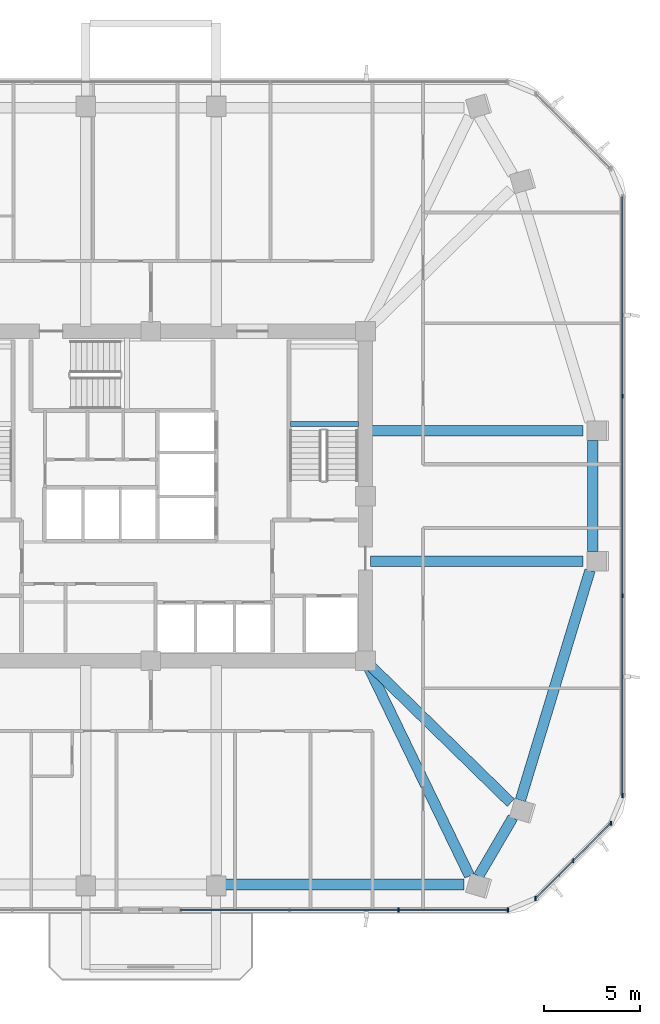
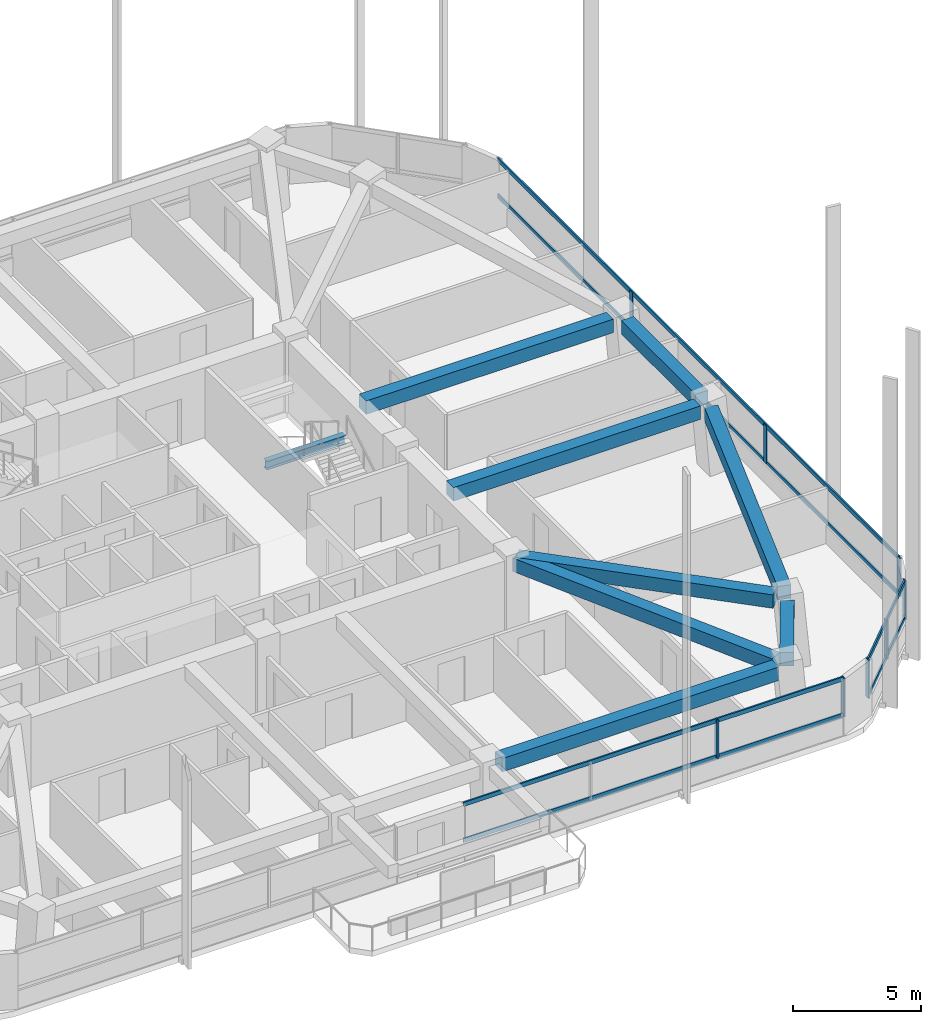
# One storey, part 3 of 15: 14 members, 9 beams, 3 elements without a shape of their own.
"""IFC4 building model written with IfcOpenShell, lengths in metres."""

from ifc_helpers import new_model, si_unit, derived_unit, direction, frame, origin, origin_2d, place, context, subcontext, project, spatial, rectangle, i_section, extrude, material, material_profile, profile_set, type_object, element, aggregate, save


model = new_model("IFC4")

# Units and contexts
model_context = context("Model", 3, precision=1e-05, world=origin(), true_north=direction((0.0, 1.0)))
body_context = subcontext(model_context, "Body", "Model", "MODEL_VIEW")
ifc_project = project(units=[si_unit("LENGTHUNIT", "METRE"), si_unit("AREAUNIT", "SQUARE_METRE"), si_unit("VOLUMEUNIT", "CUBIC_METRE"), si_unit("PLANEANGLEUNIT", "RADIAN"), si_unit("MASSUNIT", "GRAM", prefix="KILO"), derived_unit("THERMALTRANSMITTANCEUNIT", [(si_unit("POWERUNIT", "WATT"), 1), (si_unit("LENGTHUNIT", "METRE"), -2), (si_unit("THERMODYNAMICTEMPERATUREUNIT", "KELVIN"), -1)])], contexts=[model_context])

# Site, building, storey
site_placement = place(None, origin())
site = spatial("IfcSite", under=ifc_project, at=site_placement, CompositionType="ELEMENT")
building_placement = place(site_placement, origin())
building = spatial("IfcBuilding", under=site, at=building_placement, Name="Koralith Skygarden Medical Center", CompositionType="ELEMENT")
storey_placement = place(building_placement, frame((0.0, 0.0, 113.580078125)))
storey = spatial("IfcBuildingStorey", under=building, at=storey_placement, Name="L29", CompositionType="ELEMENT", Elevation=113.580078125)

# Curtain wall, members
ifc_material_1 = material(Name="Clear Laminated Glass", Category="glass")
curtain_wall_type = type_object("IfcCurtainWallType", Name="CW-3 Zone 2 Faceted Solar Curtain Wall", PredefinedType="NOTDEFINED", material=ifc_material_1)
curtain_wall_1_placement = place(storey_placement, origin())
curtain_wall_1 = element("IfcCurtainWall", 1, at=curtain_wall_1_placement, inside=storey, type_object=curtain_wall_type, Name="Curtain Wall CW-L29-S-R", PredefinedType="NOTDEFINED")
ifc_material_2 = material(Name="Aluminium 6063-T6", Category="aluminium")
ifc_material_profile_1 = material_profile(ifc_material_2, rectangle(XDim=0.073974609375, YDim=0.219970703125, at=origin_2d()), Name="MUL74X220")
ifc_profile_set_1 = profile_set([ifc_material_profile_1], Name="Aluminium 6063-T6")
member_type_1 = type_object("IfcMemberType", Name="CW-3 Extruded Mullion 74x220", PredefinedType="MULLION", material=ifc_profile_set_1)
member_1_placement = place(storey_placement, frame((49.931884765625, 4.299072265625, 0.849853515625), z_axis=(0.0, 0.0, 1.0), x_axis=(1.0, 0.0, 0.0)))
member_1 = element("IfcMember", 2, at=member_1_placement, type_object=member_type_1, Name="CW-L29-S-R Mullion 3", PredefinedType="MULLION", context=body_context, shape_type="SweptSolid", body=[
    extrude(rectangle(XDim=0.073974609375, YDim=0.219970703125, at=origin_2d()), origin(), (0.0, 0.0, 1.0), 1.820068359375),
])
member_2_placement = place(storey_placement, frame((55.62890625, 4.299072265625, 0.849853515625), z_axis=(0.0, 0.0, 1.0), x_axis=(1.0, 0.0, 0.0)))
member_2 = element("IfcMember", 3, at=member_2_placement, type_object=member_type_1, Name="CW-L29-S-R Mullion 4", PredefinedType="MULLION", context=body_context, shape_type="SweptSolid", body=[
    extrude(rectangle(XDim=0.073974609375, YDim=0.219970703125, at=origin_2d()), origin(), (0.0, 0.0, 1.0), 1.820068359375),
])

curtain_wall_2_placement = place(storey_placement, origin())
curtain_wall_2 = element("IfcCurtainWall", 4, at=curtain_wall_2_placement, inside=storey, type_object=curtain_wall_type, Name="Curtain Wall CW-L29-SE", PredefinedType="NOTDEFINED")
member_3_placement = place(storey_placement, frame((57.080078125, 4.90087890625, 0.849853515625), z_axis=(0.0, 0.0, 1.0), x_axis=(1.0, 0.0, 0.0)))
member_3 = element("IfcMember", 5, at=member_3_placement, type_object=member_type_1, Name="CW-L29-SE Mullion 1", PredefinedType="MULLION", context=body_context, shape_type="SweptSolid", body=[
    extrude(rectangle(XDim=0.073974609375, YDim=0.219970703125, at=origin_2d()), origin(), (0.0, 0.0, 1.0), 1.820068359375),
])
member_4_placement = place(storey_placement, frame((59.041015625, 6.862060546875, 0.849853515625), z_axis=(0.0, 0.0, 1.0), x_axis=(1.0, 0.0, 0.0)))
member_4 = element("IfcMember", 6, at=member_4_placement, type_object=member_type_1, Name="CW-L29-SE Mullion 2", PredefinedType="MULLION", context=body_context, shape_type="SweptSolid", body=[
    extrude(rectangle(XDim=0.073974609375, YDim=0.219970703125, at=origin_2d()), origin(), (0.0, 0.0, 1.0), 1.820068359375),
])
member_5_placement = place(storey_placement, frame((61.0029296875, 8.823974609375, 0.849853515625), z_axis=(0.0, 0.0, 1.0), x_axis=(1.0, 0.0, 0.0)))
member_5 = element("IfcMember", 7, at=member_5_placement, type_object=member_type_1, Name="CW-L29-SE Mullion 3", PredefinedType="MULLION", context=body_context, shape_type="SweptSolid", body=[
    extrude(rectangle(XDim=0.073974609375, YDim=0.219970703125, at=origin_2d()), origin(), (0.0, 0.0, 1.0), 1.820068359375),
])

curtain_wall_3_placement = place(storey_placement, origin())
curtain_wall_3 = element("IfcCurtainWall", 8, at=curtain_wall_3_placement, inside=storey, type_object=curtain_wall_type, Name="Curtain Wall CW-L29-E", PredefinedType="NOTDEFINED")
member_6_placement = place(storey_placement, frame((61.60400390625, 10.27490234375, 0.849853515625), z_axis=(0.0, 0.0, 1.0), x_axis=(1.0, 0.0, 0.0)))
member_6 = element("IfcMember", 9, at=member_6_placement, type_object=member_type_1, Name="CW-L29-E Mullion 1", PredefinedType="MULLION", context=body_context, shape_type="SweptSolid", body=[
    extrude(rectangle(XDim=0.073974609375, YDim=0.219970703125, at=origin_2d()), origin(), (0.0, 0.0, 1.0), 1.820068359375),
])
member_7_placement = place(storey_placement, frame((61.60400390625, 20.69189453125, 0.849853515625), z_axis=(0.0, 0.0, 1.0), x_axis=(1.0, 0.0, 0.0)))
member_7 = element("IfcMember", 10, at=member_7_placement, type_object=member_type_1, Name="CW-L29-E Mullion 2", PredefinedType="MULLION", context=body_context, shape_type="SweptSolid", body=[
    extrude(rectangle(XDim=0.073974609375, YDim=0.219970703125, at=origin_2d()), origin(), (0.0, 0.0, 1.0), 1.820068359375),
])
member_8_placement = place(storey_placement, frame((61.60400390625, 31.10791015625, 0.849853515625), z_axis=(0.0, 0.0, 1.0), x_axis=(1.0, 0.0, 0.0)))
member_8 = element("IfcMember", 11, at=member_8_placement, type_object=member_type_1, Name="CW-L29-E Mullion 3", PredefinedType="MULLION", context=body_context, shape_type="SweptSolid", body=[
    extrude(rectangle(XDim=0.073974609375, YDim=0.219970703125, at=origin_2d()), origin(), (0.0, 0.0, 1.0), 1.820068359375),
])

# Member
ifc_material_profile_2 = material_profile(ifc_material_2, rectangle(XDim=0.069091796875, YDim=0.197998046875, at=origin_2d()), Name="TRN69X198")
ifc_profile_set_2 = profile_set([ifc_material_profile_2], Name="Aluminium 6063-T6")
member_type_2 = type_object("IfcMemberType", Name="CW-3 Thermal Transom 69x198", PredefinedType="USERDEFINED", material=ifc_profile_set_2)
member_9_placement = place(storey_placement, frame((38.5390625, 4.299072265625, 0.89990234375), z_axis=(1.0, 0.0, 0.0), x_axis=(0.0, 1.0, 0.0)))
member_9 = element("IfcMember", 12, at=member_9_placement, type_object=member_type_2, Name="CW-L29-S-R Transom 1", ObjectType="TRANSOM", PredefinedType="USERDEFINED", context=body_context, shape_type="SweptSolid", body=[
    extrude(rectangle(XDim=0.069091796875, YDim=0.197998046875, at=origin_2d()), origin(), (0.0, 0.0, 1.0), 17.08984375),
])

member_10_placement = place(storey_placement, frame((38.5390625, 4.299072265625, 2.619873046875), z_axis=(1.0, 0.0, 0.0), x_axis=(0.0, 1.0, 0.0)))
member_10 = element("IfcMember", 13, at=member_10_placement, type_object=member_type_2, Name="CW-L29-S-R Transom 2", ObjectType="TRANSOM", PredefinedType="USERDEFINED", context=body_context, shape_type="SweptSolid", body=[
    extrude(rectangle(XDim=0.069091796875, YDim=0.197998046875, at=origin_2d()), origin(), (0.0, 0.0, 1.0), 17.08984375),
])

aggregate(curtain_wall_1, [member_1, member_2, member_9, member_10])

member_11_placement = place(storey_placement, frame((57.080078125, 4.90087890625, 0.89990234375), z_axis=(0.707084777957, 0.707128783731, 0.0), x_axis=(-0.707128783731, 0.707084777957, 0.0)))
member_11 = element("IfcMember", 14, at=member_11_placement, type_object=member_type_2, Name="CW-L29-SE Transom 1", ObjectType="TRANSOM", PredefinedType="USERDEFINED", context=body_context, shape_type="SweptSolid", body=[
    extrude(rectangle(XDim=0.069091796875, YDim=0.197998046875, at=origin_2d()), origin(), (0.0, 0.0, 1.0), 5.5478515625),
])

member_12_placement = place(storey_placement, frame((57.080078125, 4.90087890625, 2.619873046875), z_axis=(0.707084777957, 0.707128783731, 0.0), x_axis=(-0.707128783731, 0.707084777957, 0.0)))
member_12 = element("IfcMember", 15, at=member_12_placement, type_object=member_type_2, Name="CW-L29-SE Transom 2", ObjectType="TRANSOM", PredefinedType="USERDEFINED", context=body_context, shape_type="SweptSolid", body=[
    extrude(rectangle(XDim=0.069091796875, YDim=0.197998046875, at=origin_2d()), origin(), (0.0, 0.0, 1.0), 5.5478515625),
])

aggregate(curtain_wall_2, [member_3, member_4, member_5, member_11, member_12])

member_13_placement = place(storey_placement, frame((61.60400390625, 10.27490234375, 0.89990234375), z_axis=(0.0, 1.0, 0.0), x_axis=(-1.0, 0.0, 0.0)))
member_13 = element("IfcMember", 16, at=member_13_placement, type_object=member_type_2, Name="CW-L29-E Transom 1", ObjectType="TRANSOM", PredefinedType="USERDEFINED", context=body_context, shape_type="SweptSolid", body=[
    extrude(rectangle(XDim=0.069091796875, YDim=0.197998046875, at=origin_2d()), origin(), (0.0, 0.0, 1.0), 31.25),
])

member_14_placement = place(storey_placement, frame((61.60400390625, 10.27490234375, 2.619873046875), z_axis=(0.0, 1.0, 0.0), x_axis=(-1.0, 0.0, 0.0)))
member_14 = element("IfcMember", 17, at=member_14_placement, type_object=member_type_2, Name="CW-L29-E Transom 2", ObjectType="TRANSOM", PredefinedType="USERDEFINED", context=body_context, shape_type="SweptSolid", body=[
    extrude(rectangle(XDim=0.069091796875, YDim=0.197998046875, at=origin_2d()), origin(), (0.0, 0.0, 1.0), 31.25),
])

aggregate(curtain_wall_3, [member_6, member_7, member_8, member_13, member_14])

# Beams
ifc_material_3 = material(Name="Steel ASTM A992 Grade 50", Category="steel")
ifc_material_profile_3 = material_profile(ifc_material_3, i_section(OverallWidth=0.260009765625, OverallDepth=0.4150390625, WebThickness=0.010009765625, FlangeThickness=0.016845703125, at=origin_2d()), Name="W16X67")
ifc_profile_set_3 = profile_set([ifc_material_profile_3], Name="Steel ASTM A992 Grade 50")
beam_type_1 = type_object("IfcBeamType", Name="Clinical Floor Joist W16X67", PredefinedType="JOIST", material=ifc_profile_set_3)
beam_1_placement = place(storey_placement, frame((44.280029296875, 29.659912109375, 1.391845703125), z_axis=(1.0, 0.0, 0.0), x_axis=(0.0, 1.0, 0.0)))
element("IfcBeam", 18, at=beam_1_placement, inside=storey, type_object=beam_type_1, Name="L29 Stair ST2 Half-Landing Support Beam 1A", PredefinedType="JOIST", context=body_context, shape_type="SweptSolid", body=[
    extrude(i_section(OverallWidth=0.260009765625, OverallDepth=0.4150390625, WebThickness=0.010009765625, FlangeThickness=0.016845703125, at=origin_2d()), origin(), (0.0, 0.0, 1.0), 3.56494140625),
])
ifc_material_4 = material(Name="Concrete C45/55", Category="concrete")
ifc_material_profile_4 = material_profile(ifc_material_4, rectangle(XDim=0.550048828125, YDim=0.639892578125, at=origin_2d()), Name="RCB550X640")
ifc_profile_set_4 = profile_set([ifc_material_profile_4], Name="Concrete C45/55")
beam_type_2 = type_object("IfcBeamType", Name="Radial Collector Beam RCB550X640", PredefinedType="BEAM", material=ifc_profile_set_4)
beam_2_placement = place(storey_placement, frame((48.30908203125, 17.074951171875, 3.0), z_axis=(0.435682623096, -0.900100356589, 0.0), x_axis=(0.900100356589, 0.435682623096, 0.0)))
element("IfcBeam", 19, at=beam_2_placement, inside=storey, type_object=beam_type_2, Name="L29 Radial Collector Beam RB-06", PredefinedType="BEAM", context=body_context, shape_type="SweptSolid", body=[
    extrude(rectangle(XDim=0.550048828125, YDim=0.639892578125, at=origin_2d()), origin(), (0.0, 0.0, 1.0), 12.217529296875),
])
beam_3_placement = place(storey_placement, frame((48.37890625, 17.125, 3.0), z_axis=(0.715561569325, -0.698549669319, 0.0), x_axis=(0.698549669319, 0.715561569325, 0.0)))
element("IfcBeam", 20, at=beam_3_placement, inside=storey, type_object=beam_type_2, Name="L29 Radial Collector Beam RB-07", PredefinedType="BEAM", context=body_context, shape_type="SweptSolid", body=[
    extrude(rectangle(XDim=0.550048828125, YDim=0.639892578125, at=origin_2d()), origin(), (0.0, 0.0, 1.0), 10.34716796875),
])
for number, where, z_axis, x_axis, name in (
    (21, (48.449951171875, 22.5, 3.0), (1.0, 0.0, 0.0), (0.0, 1.0, 0.0), "L29 Radial Collector Beam RB-08"),
    (22, (48.449951171875, 29.300048828125, 3.0), (1.0, 0.0, 0.0), (0.0, 1.0, 0.0), "L29 Radial Collector Beam RB-09"),
):
    element("IfcBeam", number, at=place(storey_placement, frame(where, z_axis=z_axis, x_axis=x_axis)), inside=storey, type_object=beam_type_2, Name=name, PredefinedType="BEAM", context=body_context, shape_type="SweptSolid", body=[
        extrude(rectangle(XDim=0.550048828125, YDim=0.639892578125, at=origin_2d()), origin(), (0.0, 0.0, 1.0), 11.112060546875),
    ])
ifc_material_profile_5 = material_profile(ifc_material_4, rectangle(XDim=0.550048828125, YDim=0.639892578125, at=origin_2d()), Name="RCB550X640")
ifc_profile_set_5 = profile_set([ifc_material_profile_5], Name="Concrete C45/55")
beam_type_3 = type_object("IfcBeamType", Name="Zone 2-3 Spandrel Beam RCB550X640", PredefinedType="SPANDREL", material=ifc_profile_set_5)
beam_4_placement = place(storey_placement, frame((40.89990234375, 5.6279296875, 3.0), z_axis=(1.0, 0.0, 0.0), x_axis=(0.0, 1.0, 0.0)))
element("IfcBeam", 23, at=beam_4_placement, inside=storey, type_object=beam_type_3, Name="L29 Perimeter Spandrel Beam SP-05", PredefinedType="SPANDREL", context=body_context, shape_type="SweptSolid", body=[
    extrude(rectangle(XDim=0.550048828125, YDim=0.639892578125, at=origin_2d()), origin(), (0.0, 0.0, 1.0), 12.4501953125),
])
beam_5_placement = place(storey_placement, frame((54.10205078125, 6.06005859375, 3.0), z_axis=(0.504766963518, 0.863255647268, 0.0), x_axis=(-0.863255647268, 0.504766963518, 0.0)))
element("IfcBeam", 24, at=beam_5_placement, inside=storey, type_object=beam_type_3, Name="L29 Perimeter Spandrel Beam SP-06", PredefinedType="SPANDREL", context=body_context, shape_type="SweptSolid", body=[
    extrude(rectangle(XDim=0.550048828125, YDim=0.639892578125, at=origin_2d()), origin(), (0.0, 0.0, 1.0), 3.5400390625),
])
beam_6_placement = place(storey_placement, frame((56.285888671875, 10.027099609375, 3.0), z_axis=(0.28975811543, 0.957099908339, 0.0), x_axis=(-0.957099908339, 0.28975811543, 0.0)))
element("IfcBeam", 25, at=beam_6_placement, inside=storey, type_object=beam_type_3, Name="L29 Perimeter Spandrel Beam SP-07", PredefinedType="SPANDREL", context=body_context, shape_type="SweptSolid", body=[
    extrude(rectangle(XDim=0.550048828125, YDim=0.639892578125, at=origin_2d()), origin(), (0.0, 0.0, 1.0), 12.531494140625),
])
beam_7_placement = place(storey_placement, frame((60.06201171875, 23.0, 3.0), z_axis=(0.0, 1.0, 0.0), x_axis=(-1.0, 0.0, 0.0)))
element("IfcBeam", 26, at=beam_7_placement, inside=storey, type_object=beam_type_3, Name="L29 Perimeter Spandrel Beam SP-08", PredefinedType="SPANDREL", context=body_context, shape_type="SweptSolid", body=[
    extrude(rectangle(XDim=0.550048828125, YDim=0.639892578125, at=origin_2d()), origin(), (0.0, 0.0, 1.0), 5.800048828125),
])

save(model, "model.ifc")
